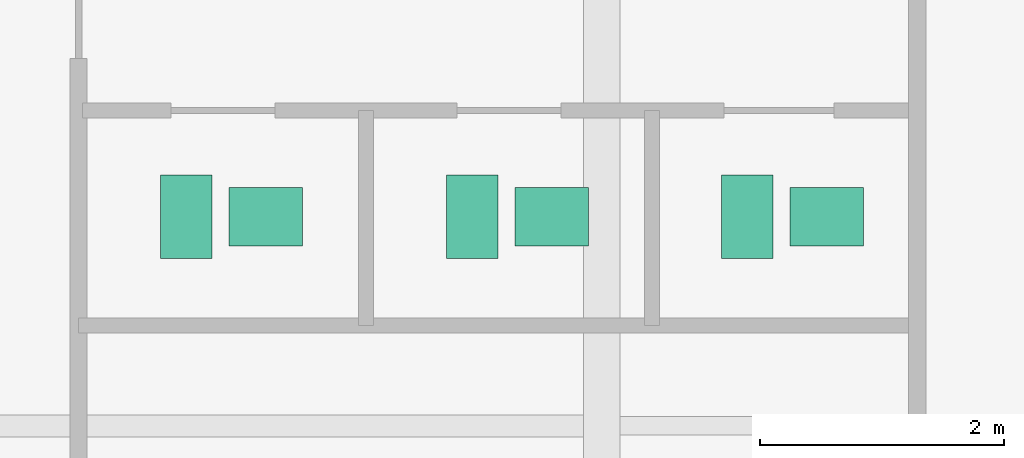
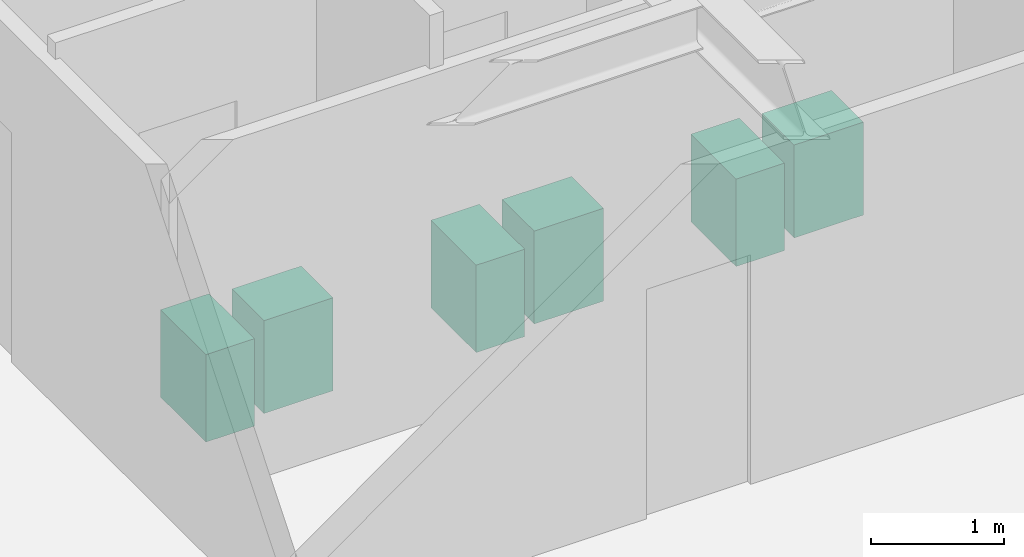
# One storey, part 25 of 25: 6 sanitary terminals.
"""IFC4 building model written with IfcOpenShell, lengths in metres."""

from ifc_helpers import new_model, si_unit, direction, frame, origin, origin_2d, place, context, subcontext, project, spatial, rectangle, extrude, source, transform, mapped, material, type_object, type_shapes, element, save


model = new_model("IFC4")

# Units and contexts
model_context = context("Model", 3, precision=1e-05, world=origin(), true_north=direction((0.0, 1.0)))
body_context = subcontext(model_context, "Body", "Model", "MODEL_VIEW")
ifc_project = project(units=[si_unit("LENGTHUNIT", "METRE"), si_unit("AREAUNIT", "SQUARE_METRE"), si_unit("VOLUMEUNIT", "CUBIC_METRE"), si_unit("PLANEANGLEUNIT", "RADIAN"), si_unit("MASSUNIT", "GRAM", prefix="KILO")], contexts=[model_context])

# Site, building, storey
site_placement = place(None, origin())
site = spatial("IfcSite", under=ifc_project, at=site_placement, CompositionType="ELEMENT")
building_placement = place(site_placement, origin())
building = spatial("IfcBuilding", under=site, at=building_placement, Name="Krantzveldt Concourse Tower", CompositionType="ELEMENT")
storey_placement = place(building_placement, frame((0.0, 0.0, 238.89990234375)))
storey = spatial("IfcBuildingStorey", under=building, at=storey_placement, Name="L58", CompositionType="ELEMENT", Elevation=238.89990234375)

# Sanitary terminals
ifc_material = material(Name="Vitreous china", Category="ceramic")
sanitary_terminal_type_1 = type_object("IfcSanitaryTerminalType", Name="SAN-WC-SUITE", PredefinedType="TOILETPAN", material=ifc_material)
shared_shape_1 = source(origin(), body_context, "Body", "SweptSolid", [
    extrude(rectangle(XDim=0.419921875, YDim=0.679931640625, at=origin_2d()), origin(), (0.0, 0.0, 1.0), 0.800048828125),
])
type_shapes(sanitary_terminal_type_1, [shared_shape_1])
for number, where, z_axis, x_axis, name in (
    (1, (38.0, 31.909912109375, 0.0), (0.0, 0.0, 1.0), (1.0, 0.0, 0.0), "WC-SP-L58-WCM"),
    (2, (40.340087890625, 31.909912109375, 0.0), (0.0, 0.0, 1.0), (1.0, 0.0, 0.0), "WC-SP-L58-WCF"),
    (3, (42.590087890625, 31.909912109375, 0.0), (0.0, 0.0, 1.0), (1.0, 0.0, 0.0), "WC-SP-L58-WCA"),
):
    element("IfcSanitaryTerminal", number, at=place(storey_placement, frame(where, z_axis=z_axis, x_axis=x_axis)), inside=storey, type_object=sanitary_terminal_type_1, Name=name, PredefinedType="TOILETPAN", context=body_context, shape_type="MappedRepresentation", body=[
        mapped(shared_shape_1, transform((0.0, 0.0, 0.0), x_axis=(1.0, 0.0, 0.0), y_axis=(0.0, 1.0, 0.0), z_axis=(0.0, 0.0, 1.0), scale=1.0)),
    ])
sanitary_terminal_type_2 = type_object("IfcSanitaryTerminalType", Name="SAN-BASIN-600", PredefinedType="WASHHANDBASIN", material=ifc_material)
shared_shape_2 = source(origin(), body_context, "Body", "SweptSolid", [
    extrude(rectangle(XDim=0.60009765625, YDim=0.47998046875, at=origin_2d()), origin(), (0.0, 0.0, 1.0), 0.85009765625),
])
type_shapes(sanitary_terminal_type_2, [shared_shape_2])
for number, where, z_axis, x_axis, name in (
    (4, (38.64990234375, 31.909912109375, 0.005126953125), (0.0, 0.0, 1.0), (1.0, 0.0, 0.0), "BSN-SP-L58-WCM"),
    (5, (40.989990234375, 31.909912109375, 0.005126953125), (0.0, 0.0, 1.0), (1.0, 0.0, 0.0), "BSN-SP-L58-WCF"),
    (6, (43.239990234375, 31.909912109375, 0.005126953125), (0.0, 0.0, 1.0), (1.0, 0.0, 0.0), "BSN-SP-L58-WCA"),
):
    element("IfcSanitaryTerminal", number, at=place(storey_placement, frame(where, z_axis=z_axis, x_axis=x_axis)), inside=storey, type_object=sanitary_terminal_type_2, Name=name, PredefinedType="WASHHANDBASIN", context=body_context, shape_type="MappedRepresentation", body=[
        mapped(shared_shape_2, transform((0.0, 0.0, 0.0), x_axis=(1.0, 0.0, 0.0), y_axis=(0.0, 1.0, 0.0), z_axis=(0.0, 0.0, 1.0), scale=1.0)),
    ])

save(model, "model.ifc")
